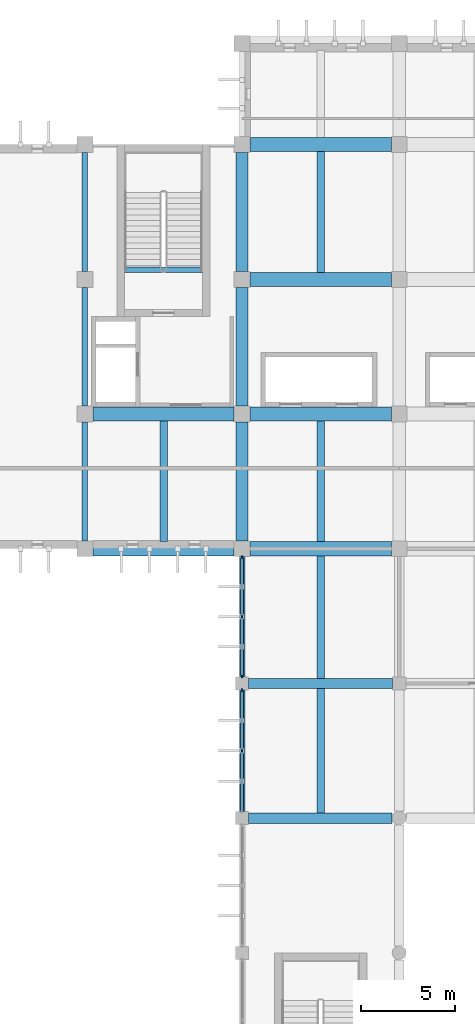
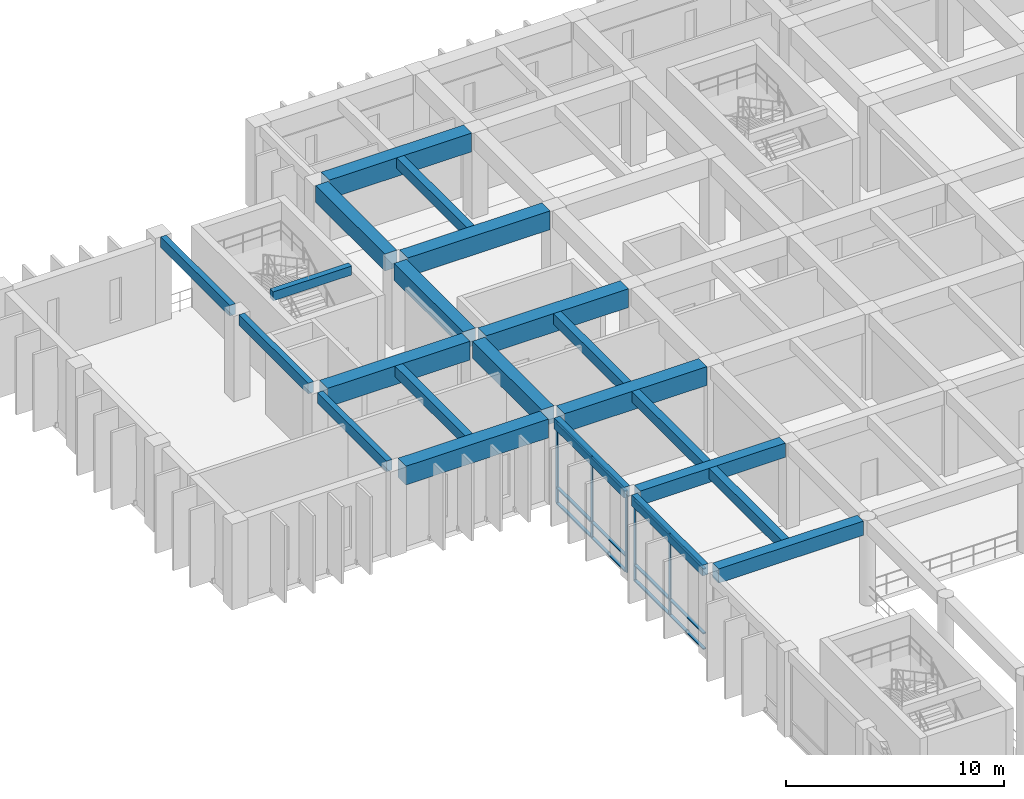
# One storey, part 19 of 51: 22 beams, 17 members, 2 elements without a shape of their own.
"""IFC4 building model written with IfcOpenShell, lengths in metres."""

from ifc_helpers import new_model, si_unit, direction, frame, origin, origin_2d, place, context, subcontext, project, spatial, rectangle, extrude, material, material_profile, profile_set, type_object, element, aggregate, save


model = new_model("IFC4")

# Units and contexts
model_context = context("Model", 3, precision=1e-05, world=origin(), true_north=direction((0.0, 1.0)))
body_context = subcontext(model_context, "Body", "Model", "MODEL_VIEW")
ifc_project = project(units=[si_unit("LENGTHUNIT", "METRE"), si_unit("AREAUNIT", "SQUARE_METRE"), si_unit("VOLUMEUNIT", "CUBIC_METRE"), si_unit("PLANEANGLEUNIT", "RADIAN"), si_unit("MASSUNIT", "GRAM", prefix="KILO")], contexts=[model_context])

# Site, building, storey
site_placement = place(None, origin())
site = spatial("IfcSite", under=ifc_project, at=site_placement, CompositionType="ELEMENT")
building_placement = place(site_placement, origin())
building = spatial("IfcBuilding", under=site, at=building_placement, Name="Kenerak Square Central Library", CompositionType="ELEMENT")
storey_placement = place(building_placement, frame((0.0, 0.0, 9.60009765625)))
storey = spatial("IfcBuildingStorey", under=building, at=storey_placement, Name="L02", CompositionType="ELEMENT", Elevation=9.60009765625)

# Beams
ifc_material_1 = material(Name="Concrete C45/55", Category="concrete")
ifc_material_profile_1 = material_profile(ifc_material_1, rectangle(XDim=0.64990234375, YDim=0.949951171875, at=origin_2d()), Name="RC 650x950")
ifc_profile_set_1 = profile_set([ifc_material_profile_1], Name="Concrete C45/55")
beam_type_1 = type_object("IfcBeamType", Name="Book Stack Girder B-02 RC 650x950 C45/55", PredefinedType="BEAM", material=ifc_profile_set_1)
for number, where, z_axis, x_axis, name in (
    (1, (66.800048828125, 89.22509765625, 4.324951171875), (0.0, 1.0, 0.0), (-1.0, 0.0, 0.0), "Beam B-02 L02 1293"),
    (2, (66.800048828125, 96.425048828125, 4.324951171875), (0.0, 1.0, 0.0), (-1.0, 0.0, 0.0), "Beam B-02 L02 1294"),
):
    element("IfcBeam", number, at=place(storey_placement, frame(where, z_axis=z_axis, x_axis=x_axis)), inside=storey, type_object=beam_type_1, Name=name, PredefinedType="BEAM", context=body_context, shape_type="SweptSolid", body=[
        extrude(rectangle(XDim=0.64990234375, YDim=0.949951171875, at=origin_2d()), origin(), (0.0, 0.0, 1.0), 6.349853515625),
    ])
beam_1_placement = place(storey_placement, frame((66.800048828125, 103.625, 4.324951171875), z_axis=(0.0, 1.0, 0.0), x_axis=(-1.0, 0.0, 0.0)))
element("IfcBeam", 3, at=beam_1_placement, inside=storey, type_object=beam_type_1, Name="Beam B-02 L02 1295", PredefinedType="BEAM", context=body_context, shape_type="SweptSolid", body=[
    extrude(rectangle(XDim=0.64990234375, YDim=0.949951171875, at=origin_2d()), origin(), (0.0, 0.0, 1.0), 6.35009765625),
])
ifc_material_profile_2 = material_profile(ifc_material_1, rectangle(XDim=0.75, YDim=1.050048828125, at=origin_2d()), Name="RC 750x1050")
ifc_profile_set_2 = profile_set([ifc_material_profile_2], Name="Concrete C45/55")
beam_type_2 = type_object("IfcBeamType", Name="Compact Stack Girder B-01 RC 750x1050 C45/55", PredefinedType="BEAM", material=ifc_profile_set_2)
beam_2_placement = place(storey_placement, frame((58.824951171875, 88.800048828125, 4.27490234375), z_axis=(1.0, 0.0, 0.0), x_axis=(0.0, 1.0, 0.0)))
element("IfcBeam", 4, at=beam_2_placement, inside=storey, type_object=beam_type_2, Name="Beam B-01 L02 1242", PredefinedType="BEAM", context=body_context, shape_type="SweptSolid", body=[
    extrude(rectangle(XDim=0.75, YDim=1.050048828125, at=origin_2d()), origin(), (0.0, 0.0, 1.0), 7.550048828125),
])
beam_3_placement = place(storey_placement, frame((67.22509765625, 88.800048828125, 4.27490234375), z_axis=(1.0, 0.0, 0.0), x_axis=(0.0, 1.0, 0.0)))
element("IfcBeam", 5, at=beam_3_placement, inside=storey, type_object=beam_type_2, Name="Beam B-01 L02 1243", PredefinedType="BEAM", context=body_context, shape_type="SweptSolid", body=[
    extrude(rectangle(XDim=0.75, YDim=1.050048828125, at=origin_2d()), origin(), (0.0, 0.0, 1.0), 7.5498046875),
])
beam_4_placement = place(storey_placement, frame((58.824951171875, 96.0, 4.27490234375), z_axis=(1.0, 0.0, 0.0), x_axis=(0.0, 1.0, 0.0)))
element("IfcBeam", 6, at=beam_4_placement, inside=storey, type_object=beam_type_2, Name="Beam B-01 L02 1250", PredefinedType="BEAM", context=body_context, shape_type="SweptSolid", body=[
    extrude(rectangle(XDim=0.75, YDim=1.050048828125, at=origin_2d()), origin(), (0.0, 0.0, 1.0), 7.550048828125),
])
for number, where, z_axis, x_axis, name in (
    (7, (67.22509765625, 96.0, 4.27490234375), (1.0, 0.0, 0.0), (0.0, 1.0, 0.0), "Beam B-01 L02 1251"),
    (8, (67.22509765625, 103.199951171875, 4.27490234375), (1.0, 0.0, 0.0), (0.0, 1.0, 0.0), "Beam B-01 L02 1258"),
    (9, (67.22509765625, 110.39990234375, 4.27490234375), (1.0, 0.0, 0.0), (0.0, 1.0, 0.0), "Beam B-01 L02 1263"),
):
    element("IfcBeam", number, at=place(storey_placement, frame(where, z_axis=z_axis, x_axis=x_axis)), inside=storey, type_object=beam_type_2, Name=name, PredefinedType="BEAM", context=body_context, shape_type="SweptSolid", body=[
        extrude(rectangle(XDim=0.75, YDim=1.050048828125, at=origin_2d()), origin(), (0.0, 0.0, 1.0), 7.5498046875),
    ])
ifc_material_2 = material(Name="Concrete C40/50", Category="concrete")
ifc_material_profile_3 = material_profile(ifc_material_2, rectangle(XDim=0.300048828125, YDim=0.60009765625, at=origin_2d()), Name="RC 300x600")
ifc_profile_set_3 = profile_set([ifc_material_profile_3], Name="Concrete C40/50")
beam_type_3 = type_object("IfcBeamType", Name="Courtyard Spandrel Beam SP-02 RC 300x600 C40/50", PredefinedType="SPANDREL", material=ifc_profile_set_3)
for number, where, z_axis, x_axis, name in (
    (10, (58.39990234375, 89.22509765625, 4.5), (0.0, 1.0, 0.0), (-1.0, 0.0, 0.0), "Beam SP-02 L02 1284"),
    (11, (58.39990234375, 96.425048828125, 4.5), (0.0, 1.0, 0.0), (-1.0, 0.0, 0.0), "Beam SP-02 L02 1285"),
):
    element("IfcBeam", number, at=place(storey_placement, frame(where, z_axis=z_axis, x_axis=x_axis)), inside=storey, type_object=beam_type_3, Name=name, PredefinedType="SPANDREL", context=body_context, shape_type="SweptSolid", body=[
        extrude(rectangle(XDim=0.300048828125, YDim=0.60009765625, at=origin_2d()), origin(), (0.0, 0.0, 1.0), 6.349853515625),
    ])
beam_5_placement = place(storey_placement, frame((58.39990234375, 103.625, 4.5), z_axis=(0.0, 1.0, 0.0), x_axis=(-1.0, 0.0, 0.0)))
element("IfcBeam", 12, at=beam_5_placement, inside=storey, type_object=beam_type_3, Name="Beam SP-02 L02 1286", PredefinedType="SPANDREL", context=body_context, shape_type="SweptSolid", body=[
    extrude(rectangle(XDim=0.300048828125, YDim=0.60009765625, at=origin_2d()), origin(), (0.0, 0.0, 1.0), 6.35009765625),
])
beam_6_placement = place(storey_placement, frame((66.800048828125, 74.75, 4.5), z_axis=(0.0, 1.0, 0.0), x_axis=(-1.0, 0.0, 0.0)))
element("IfcBeam", 13, at=beam_6_placement, inside=storey, type_object=beam_type_3, Name="Beam SP-02 L02 1291", PredefinedType="SPANDREL", context=body_context, shape_type="SweptSolid", body=[
    extrude(rectangle(XDim=0.300048828125, YDim=0.60009765625, at=origin_2d()), origin(), (0.0, 0.0, 1.0), 6.5),
])
beam_7_placement = place(storey_placement, frame((66.800048828125, 81.949951171875, 4.5), z_axis=(0.0, 1.0, 0.0), x_axis=(-1.0, 0.0, 0.0)))
element("IfcBeam", 14, at=beam_7_placement, inside=storey, type_object=beam_type_3, Name="Beam SP-02 L02 1292", PredefinedType="SPANDREL", context=body_context, shape_type="SweptSolid", body=[
    extrude(rectangle(XDim=0.300048828125, YDim=0.60009765625, at=origin_2d()), origin(), (0.0, 0.0, 1.0), 6.425048828125),
])

# Curtain wall, members
ifc_material_3 = material(Name="Anodised aluminium and solar-control low-E glazing", Category="aluminium")
curtain_wall_type_1 = type_object("IfcCurtainWallType", Name="Curtain Wall CW-V4-65x45 6500x4550", PredefinedType="USERDEFINED", material=ifc_material_3)
curtain_wall_1_placement = place(storey_placement, origin())
curtain_wall_1 = element("IfcCurtainWall", 15, at=curtain_wall_1_placement, inside=storey, type_object=curtain_wall_type_1, Name="Curtain Wall CW-V4-65x45 L02 0080", ObjectType="CURTAIN WALL", PredefinedType="USERDEFINED")
ifc_material_4 = material(Name="Anodised aluminium 6063-T6", Category="aluminium")
ifc_material_profile_4 = material_profile(ifc_material_4, rectangle(XDim=0.06494140625, YDim=0.179931640625, at=origin_2d()), Name="AL MULLION 65x180")
ifc_profile_set_4 = profile_set([ifc_material_profile_4], Name="Anodised aluminium 6063-T6")
member_type_1 = type_object("IfcMemberType", Name="Curtain Mullion CM-01 65x180", PredefinedType="MULLION", material=ifc_profile_set_4)
member_1_placement = place(storey_placement, frame((66.800048828125, 78.0, 0.0), z_axis=(0.0, 0.0, 1.0), x_axis=(-1.0, 0.0, 0.0)))
member_1 = element("IfcMember", 16, at=member_1_placement, type_object=member_type_1, Name="CW-V4-65x45 Mullion 2", PredefinedType="MULLION", context=body_context, shape_type="SweptSolid", body=[
    extrude(rectangle(XDim=0.06494140625, YDim=0.179931640625, at=origin_2d()), origin(), (0.0, 0.0, 1.0), 4.5498046875),
])
member_2_placement = place(storey_placement, frame((66.800048828125, 81.217529296875, 0.0), z_axis=(0.0, 0.0, 1.0), x_axis=(-1.0, 0.0, 0.0)))
member_2 = element("IfcMember", 17, at=member_2_placement, type_object=member_type_1, Name="CW-V4-65x45 Mullion 3", PredefinedType="MULLION", context=body_context, shape_type="SweptSolid", body=[
    extrude(rectangle(XDim=0.06494140625, YDim=0.179931640625, at=origin_2d()), origin(), (0.0, 0.0, 1.0), 4.5498046875),
])

curtain_wall_type_2 = type_object("IfcCurtainWallType", Name="Curtain Wall CW-V4-64x45 6425x4550", PredefinedType="USERDEFINED", material=ifc_material_3)
curtain_wall_2_placement = place(storey_placement, origin())
curtain_wall_2 = element("IfcCurtainWall", 18, at=curtain_wall_2_placement, inside=storey, type_object=curtain_wall_type_2, Name="Curtain Wall CW-V4-64x45 L02 0081", ObjectType="CURTAIN WALL", PredefinedType="USERDEFINED")
member_3_placement = place(storey_placement, frame((66.800048828125, 81.982421875, 0.0), z_axis=(0.0, 0.0, 1.0), x_axis=(-1.0, 0.0, 0.0)))
member_3 = element("IfcMember", 19, at=member_3_placement, type_object=member_type_1, Name="CW-V4-64x45 Mullion 1", PredefinedType="MULLION", context=body_context, shape_type="SweptSolid", body=[
    extrude(rectangle(XDim=0.06494140625, YDim=0.179931640625, at=origin_2d()), origin(), (0.0, 0.0, 1.0), 4.5498046875),
])
member_4_placement = place(storey_placement, frame((66.800048828125, 85.16259765625, 0.0), z_axis=(0.0, 0.0, 1.0), x_axis=(-1.0, 0.0, 0.0)))
member_4 = element("IfcMember", 20, at=member_4_placement, type_object=member_type_1, Name="CW-V4-64x45 Mullion 2", PredefinedType="MULLION", context=body_context, shape_type="SweptSolid", body=[
    extrude(rectangle(XDim=0.06494140625, YDim=0.179931640625, at=origin_2d()), origin(), (0.0, 0.0, 1.0), 4.5498046875),
])
member_5_placement = place(storey_placement, frame((66.800048828125, 88.342529296875, 0.0), z_axis=(0.0, 0.0, 1.0), x_axis=(-1.0, 0.0, 0.0)))
member_5 = element("IfcMember", 21, at=member_5_placement, type_object=member_type_1, Name="CW-V4-64x45 Mullion 3", PredefinedType="MULLION", context=body_context, shape_type="SweptSolid", body=[
    extrude(rectangle(XDim=0.06494140625, YDim=0.179931640625, at=origin_2d()), origin(), (0.0, 0.0, 1.0), 4.5498046875),
])

# Member
ifc_material_profile_5 = material_profile(ifc_material_4, rectangle(XDim=0.159912109375, YDim=0.06494140625, at=origin_2d()), Name="AL TRANSOM 160x65")
ifc_profile_set_5 = profile_set([ifc_material_profile_5], Name="Anodised aluminium 6063-T6")
member_type_2 = type_object("IfcMemberType", Name="Curtain Transom CT-11 160x65", PredefinedType="USERDEFINED", material=ifc_profile_set_5)
member_6_placement = place(storey_placement, frame((66.800048828125, 74.81494140625, 0.032470703125), z_axis=(0.0, 1.0, 0.0), x_axis=(-1.0, 0.0, 0.0)))
member_6 = element("IfcMember", 22, at=member_6_placement, type_object=member_type_2, Name="CW-V4-65x45 Transom 1.1", ObjectType="TRANSOM", PredefinedType="USERDEFINED", context=body_context, shape_type="SweptSolid", body=[
    extrude(rectangle(XDim=0.159912109375, YDim=0.06494140625, at=origin_2d()), origin(), (0.0, 0.0, 1.0), 3.152587890625),
])

member_7_placement = place(storey_placement, frame((66.800048828125, 74.81494140625, 0.89990234375), z_axis=(0.0, 1.0, 0.0), x_axis=(-1.0, 0.0, 0.0)))
member_7 = element("IfcMember", 23, at=member_7_placement, type_object=member_type_2, Name="CW-V4-65x45 Transom 1.2", ObjectType="TRANSOM", PredefinedType="USERDEFINED", context=body_context, shape_type="SweptSolid", body=[
    extrude(rectangle(XDim=0.159912109375, YDim=0.06494140625, at=origin_2d()), origin(), (0.0, 0.0, 1.0), 3.152587890625),
])

member_8_placement = place(storey_placement, frame((66.800048828125, 74.81494140625, 4.517333984375), z_axis=(0.0, 1.0, 0.0), x_axis=(-1.0, 0.0, 0.0)))
member_8 = element("IfcMember", 24, at=member_8_placement, type_object=member_type_2, Name="CW-V4-65x45 Transom 1.3", ObjectType="TRANSOM", PredefinedType="USERDEFINED", context=body_context, shape_type="SweptSolid", body=[
    extrude(rectangle(XDim=0.159912109375, YDim=0.06494140625, at=origin_2d()), origin(), (0.0, 0.0, 1.0), 3.152587890625),
])

member_9_placement = place(storey_placement, frame((66.800048828125, 78.032470703125, 0.032470703125), z_axis=(0.0, 1.0, 0.0), x_axis=(-1.0, 0.0, 0.0)))
member_9 = element("IfcMember", 25, at=member_9_placement, type_object=member_type_2, Name="CW-V4-65x45 Transom 2.1", ObjectType="TRANSOM", PredefinedType="USERDEFINED", context=body_context, shape_type="SweptSolid", body=[
    extrude(rectangle(XDim=0.159912109375, YDim=0.06494140625, at=origin_2d()), origin(), (0.0, 0.0, 1.0), 3.152587890625),
])

member_10_placement = place(storey_placement, frame((66.800048828125, 78.032470703125, 0.89990234375), z_axis=(0.0, 1.0, 0.0), x_axis=(-1.0, 0.0, 0.0)))
member_10 = element("IfcMember", 26, at=member_10_placement, type_object=member_type_2, Name="CW-V4-65x45 Transom 2.2", ObjectType="TRANSOM", PredefinedType="USERDEFINED", context=body_context, shape_type="SweptSolid", body=[
    extrude(rectangle(XDim=0.159912109375, YDim=0.06494140625, at=origin_2d()), origin(), (0.0, 0.0, 1.0), 3.152587890625),
])

member_11_placement = place(storey_placement, frame((66.800048828125, 78.032470703125, 4.517333984375), z_axis=(0.0, 1.0, 0.0), x_axis=(-1.0, 0.0, 0.0)))
member_11 = element("IfcMember", 27, at=member_11_placement, type_object=member_type_2, Name="CW-V4-65x45 Transom 2.3", ObjectType="TRANSOM", PredefinedType="USERDEFINED", context=body_context, shape_type="SweptSolid", body=[
    extrude(rectangle(XDim=0.159912109375, YDim=0.06494140625, at=origin_2d()), origin(), (0.0, 0.0, 1.0), 3.152587890625),
])

aggregate(curtain_wall_1, [member_1, member_2, member_6, member_7, member_8, member_9, member_10, member_11])

member_12_placement = place(storey_placement, frame((66.800048828125, 82.014892578125, 0.032470703125), z_axis=(0.0, 1.0, 0.0), x_axis=(-1.0, 0.0, 0.0)))
member_12 = element("IfcMember", 28, at=member_12_placement, type_object=member_type_2, Name="CW-V4-64x45 Transom 1.1", ObjectType="TRANSOM", PredefinedType="USERDEFINED", context=body_context, shape_type="SweptSolid", body=[
    extrude(rectangle(XDim=0.159912109375, YDim=0.06494140625, at=origin_2d()), origin(), (0.0, 0.0, 1.0), 3.114990234375),
])

member_13_placement = place(storey_placement, frame((66.800048828125, 82.014892578125, 0.89990234375), z_axis=(0.0, 1.0, 0.0), x_axis=(-1.0, 0.0, 0.0)))
member_13 = element("IfcMember", 29, at=member_13_placement, type_object=member_type_2, Name="CW-V4-64x45 Transom 1.2", ObjectType="TRANSOM", PredefinedType="USERDEFINED", context=body_context, shape_type="SweptSolid", body=[
    extrude(rectangle(XDim=0.159912109375, YDim=0.06494140625, at=origin_2d()), origin(), (0.0, 0.0, 1.0), 3.114990234375),
])

member_14_placement = place(storey_placement, frame((66.800048828125, 82.014892578125, 4.517333984375), z_axis=(0.0, 1.0, 0.0), x_axis=(-1.0, 0.0, 0.0)))
member_14 = element("IfcMember", 30, at=member_14_placement, type_object=member_type_2, Name="CW-V4-64x45 Transom 1.3", ObjectType="TRANSOM", PredefinedType="USERDEFINED", context=body_context, shape_type="SweptSolid", body=[
    extrude(rectangle(XDim=0.159912109375, YDim=0.06494140625, at=origin_2d()), origin(), (0.0, 0.0, 1.0), 3.114990234375),
])

member_15_placement = place(storey_placement, frame((66.800048828125, 85.195068359375, 0.032470703125), z_axis=(0.0, 1.0, 0.0), x_axis=(-1.0, 0.0, 0.0)))
member_15 = element("IfcMember", 31, at=member_15_placement, type_object=member_type_2, Name="CW-V4-64x45 Transom 2.1", ObjectType="TRANSOM", PredefinedType="USERDEFINED", context=body_context, shape_type="SweptSolid", body=[
    extrude(rectangle(XDim=0.159912109375, YDim=0.06494140625, at=origin_2d()), origin(), (0.0, 0.0, 1.0), 3.114990234375),
])

member_16_placement = place(storey_placement, frame((66.800048828125, 85.195068359375, 0.89990234375), z_axis=(0.0, 1.0, 0.0), x_axis=(-1.0, 0.0, 0.0)))
member_16 = element("IfcMember", 32, at=member_16_placement, type_object=member_type_2, Name="CW-V4-64x45 Transom 2.2", ObjectType="TRANSOM", PredefinedType="USERDEFINED", context=body_context, shape_type="SweptSolid", body=[
    extrude(rectangle(XDim=0.159912109375, YDim=0.06494140625, at=origin_2d()), origin(), (0.0, 0.0, 1.0), 3.114990234375),
])

member_17_placement = place(storey_placement, frame((66.800048828125, 85.195068359375, 4.517333984375), z_axis=(0.0, 1.0, 0.0), x_axis=(-1.0, 0.0, 0.0)))
member_17 = element("IfcMember", 33, at=member_17_placement, type_object=member_type_2, Name="CW-V4-64x45 Transom 2.3", ObjectType="TRANSOM", PredefinedType="USERDEFINED", context=body_context, shape_type="SweptSolid", body=[
    extrude(rectangle(XDim=0.159912109375, YDim=0.06494140625, at=origin_2d()), origin(), (0.0, 0.0, 1.0), 3.114990234375),
])

aggregate(curtain_wall_2, [member_3, member_4, member_5, member_12, member_13, member_14, member_15, member_16, member_17])

# Beams
ifc_material_profile_6 = material_profile(ifc_material_2, rectangle(XDim=0.300048828125, YDim=0.5, at=origin_2d()), Name="RC 300x500")
ifc_profile_set_6 = profile_set([ifc_material_profile_6], Name="Concrete C40/50")
beam_type_4 = type_object("IfcBeamType", Name="Landing Support Beam B-08 RC 300x500 C40/50", PredefinedType="BEAM", material=ifc_profile_set_6)
beam_8_placement = place(storey_placement, frame((60.52001953125, 103.7099609375, 4.5498046875), z_axis=(1.0, 0.0, 0.0), x_axis=(0.0, 1.0, 0.0)))
element("IfcBeam", 34, at=beam_8_placement, inside=storey, type_object=beam_type_4, Name="Stair Threshold Beam B-08 ST-01 L03", PredefinedType="BEAM", context=body_context, shape_type="SweptSolid", body=[
    extrude(rectangle(XDim=0.300048828125, YDim=0.5, at=origin_2d()), origin(), (0.0, 0.0, 1.0), 4.159912109375),
])
ifc_material_profile_7 = material_profile(ifc_material_2, rectangle(XDim=0.550048828125, YDim=0.800048828125, at=origin_2d()), Name="RC 550x800")
ifc_profile_set_7 = profile_set([ifc_material_profile_7], Name="Concrete C40/50")
beam_type_5 = type_object("IfcBeamType", Name="Primary Reading Beam B-04 RC 550x800 C40/50", PredefinedType="BEAM", material=ifc_profile_set_7)
beam_9_placement = place(storey_placement, frame((67.14990234375, 74.39990234375, 4.39990234375), z_axis=(1.0, 0.0, 0.0), x_axis=(0.0, 1.0, 0.0)))
element("IfcBeam", 35, at=beam_9_placement, inside=storey, type_object=beam_type_5, Name="Beam B-04 L02 1230", PredefinedType="BEAM", context=body_context, shape_type="SweptSolid", body=[
    extrude(rectangle(XDim=0.550048828125, YDim=0.800048828125, at=origin_2d()), origin(), (0.0, 0.0, 1.0), 7.675048828125),
])
beam_10_placement = place(storey_placement, frame((67.14990234375, 81.60009765625, 4.39990234375), z_axis=(1.0, 0.0, 0.0), x_axis=(0.0, 1.0, 0.0)))
element("IfcBeam", 36, at=beam_10_placement, inside=storey, type_object=beam_type_5, Name="Beam B-04 L02 1236", PredefinedType="BEAM", context=body_context, shape_type="SweptSolid", body=[
    extrude(rectangle(XDim=0.550048828125, YDim=0.800048828125, at=origin_2d()), origin(), (0.0, 0.0, 1.0), 7.7001953125),
])
ifc_material_profile_8 = material_profile(ifc_material_2, rectangle(XDim=0.39990234375, YDim=0.60009765625, at=origin_2d()), Name="RC 400x600")
ifc_profile_set_8 = profile_set([ifc_material_profile_8], Name="Concrete C40/50")
beam_type_6 = type_object("IfcBeamType", Name="Secondary Floor Joist J-01 RC 400x600 C40/50", PredefinedType="JOIST", material=ifc_profile_set_8)
beam_11_placement = place(storey_placement, frame((62.60009765625, 89.175048828125, 4.5), z_axis=(0.0, 1.0, 0.0), x_axis=(-1.0, 0.0, 0.0)))
element("IfcBeam", 37, at=beam_11_placement, inside=storey, type_object=beam_type_6, Name="Joist J-01 L02 1372", PredefinedType="JOIST", context=body_context, shape_type="SweptSolid", body=[
    extrude(rectangle(XDim=0.39990234375, YDim=0.60009765625, at=origin_2d()), origin(), (0.0, 0.0, 1.0), 6.449951171875),
])
beam_12_placement = place(storey_placement, frame((71.0, 74.675048828125, 4.5), z_axis=(0.0, 1.0, 0.0), x_axis=(-1.0, 0.0, 0.0)))
element("IfcBeam", 38, at=beam_12_placement, inside=storey, type_object=beam_type_6, Name="Joist J-01 L02 1374", PredefinedType="JOIST", context=body_context, shape_type="SweptSolid", body=[
    extrude(rectangle(XDim=0.39990234375, YDim=0.60009765625, at=origin_2d()), origin(), (0.0, 0.0, 1.0), 6.64990234375),
])
beam_13_placement = place(storey_placement, frame((71.0, 81.875, 4.5), z_axis=(0.0, 1.0, 0.0), x_axis=(-1.0, 0.0, 0.0)))
element("IfcBeam", 39, at=beam_13_placement, inside=storey, type_object=beam_type_6, Name="Joist J-01 L02 1375", PredefinedType="JOIST", context=body_context, shape_type="SweptSolid", body=[
    extrude(rectangle(XDim=0.39990234375, YDim=0.60009765625, at=origin_2d()), origin(), (0.0, 0.0, 1.0), 6.550048828125),
])
for number, where, z_axis, x_axis, name in (
    (40, (71.0, 89.175048828125, 4.5), (0.0, 1.0, 0.0), (-1.0, 0.0, 0.0), "Joist J-01 L02 1376"),
    (41, (71.0, 103.574951171875, 4.5), (0.0, 1.0, 0.0), (-1.0, 0.0, 0.0), "Joist J-01 L02 1377"),
):
    element("IfcBeam", number, at=place(storey_placement, frame(where, z_axis=z_axis, x_axis=x_axis)), inside=storey, type_object=beam_type_6, Name=name, PredefinedType="JOIST", context=body_context, shape_type="SweptSolid", body=[
        extrude(rectangle(XDim=0.39990234375, YDim=0.60009765625, at=origin_2d()), origin(), (0.0, 0.0, 1.0), 6.449951171875),
    ])

save(model, "model.ifc")
